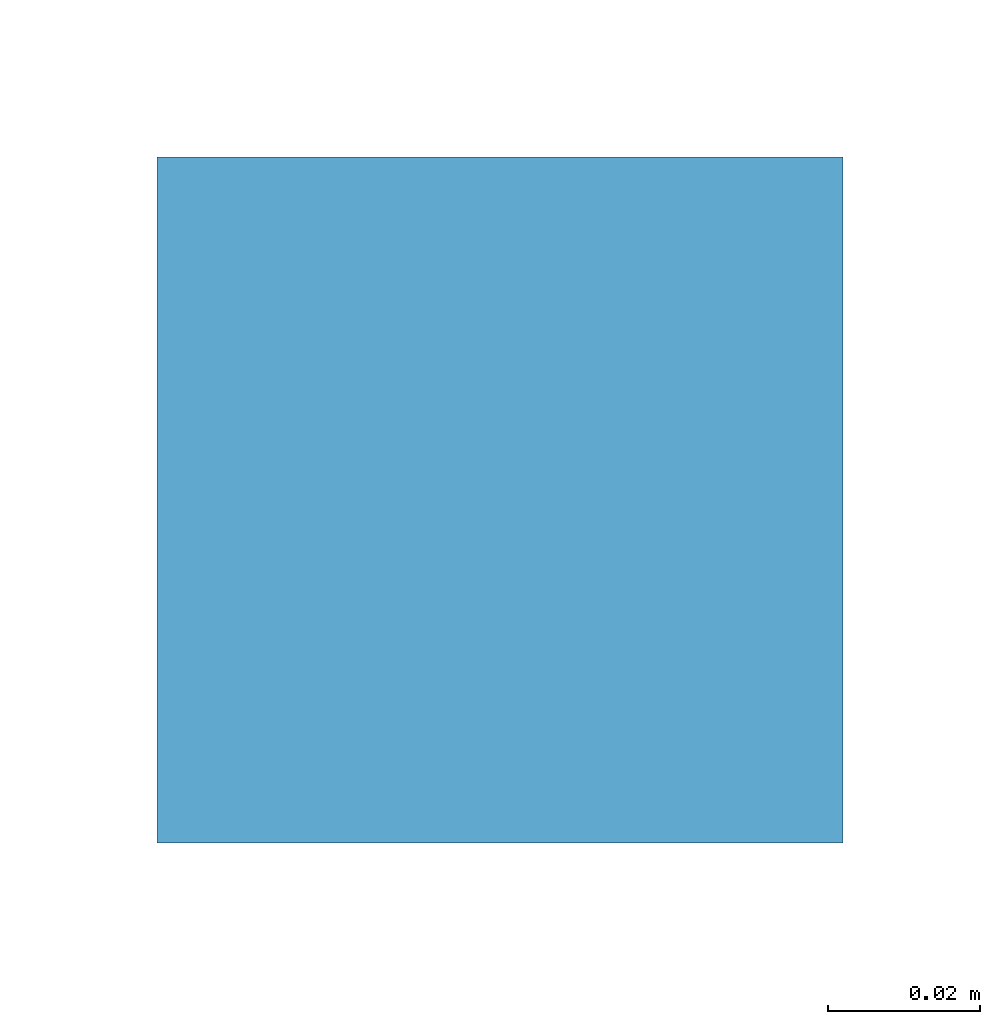
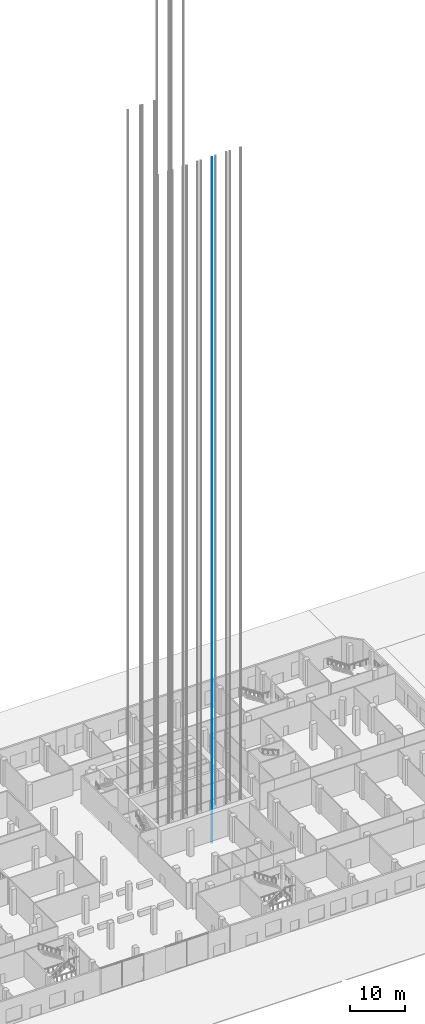
# One storey, part 19 of 55: 1 member.
"""IFC4 building model written with IfcOpenShell, lengths in metres."""

from ifc_helpers import new_model, si_unit, direction, frame, origin, origin_2d, place, context, subcontext, project, spatial, rectangle, extrude, material, material_profile, profile_set, type_object, element, save


model = new_model("IFC4")

# Units and contexts
model_context = context("Model", 3, precision=1e-05, world=origin(), true_north=direction((0.0, 1.0)))
body_context = subcontext(model_context, "Body", "Model", "MODEL_VIEW")
ifc_project = project(units=[si_unit("LENGTHUNIT", "METRE"), si_unit("AREAUNIT", "SQUARE_METRE"), si_unit("VOLUMEUNIT", "CUBIC_METRE"), si_unit("PLANEANGLEUNIT", "RADIAN"), si_unit("MASSUNIT", "GRAM", prefix="KILO")], contexts=[model_context])

# Site, building, storey
site_placement = place(None, origin())
site = spatial("IfcSite", under=ifc_project, at=site_placement, CompositionType="ELEMENT")
building_placement = place(site_placement, origin())
building = spatial("IfcBuilding", under=site, at=building_placement, Name="Cinnabar Reach Civic Tower", CompositionType="ELEMENT")
storey_placement = place(building_placement, origin())
storey = spatial("IfcBuildingStorey", under=building, at=storey_placement, Name="L00", CompositionType="ELEMENT", Elevation=0.0)

# Member
ifc_material = material(Name="Steel Q355B", Category="steel")
ifc_material_profile = material_profile(ifc_material, rectangle(XDim=0.09, YDim=0.09, at=origin_2d()), Name="T1 lift guide rail")
ifc_profile_set = profile_set([ifc_material_profile], Name="Steel Q355B")
member_type = type_object("IfcMemberType", Name="T1 lift guide rail", PredefinedType="USERDEFINED", material=ifc_profile_set)
member_placement = place(storey_placement, frame((16.13, 22.5, -2.5), z_axis=(0.0, 0.0, 1.0), x_axis=(1.0, 0.0, 0.0)))
element("IfcMember", 1, at=member_placement, inside=storey, type_object=member_type, Name="T1-LR4 guide rail 2", ObjectType="GUIDE RAIL", PredefinedType="USERDEFINED", context=body_context, shape_type="SweptSolid", body=[
    extrude(rectangle(XDim=0.09, YDim=0.09, at=origin_2d()), origin(), (0.0, 0.0, 1.0), 150.9),
])

save(model, "model.ifc")
